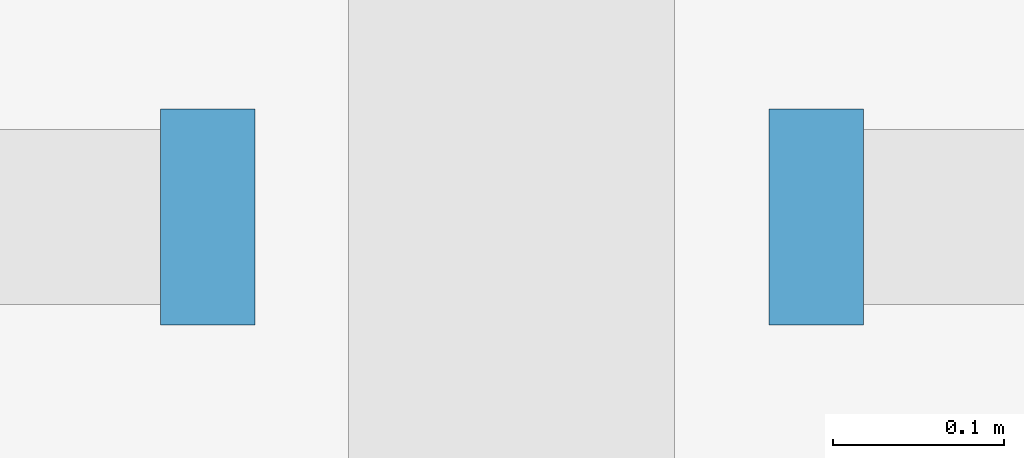
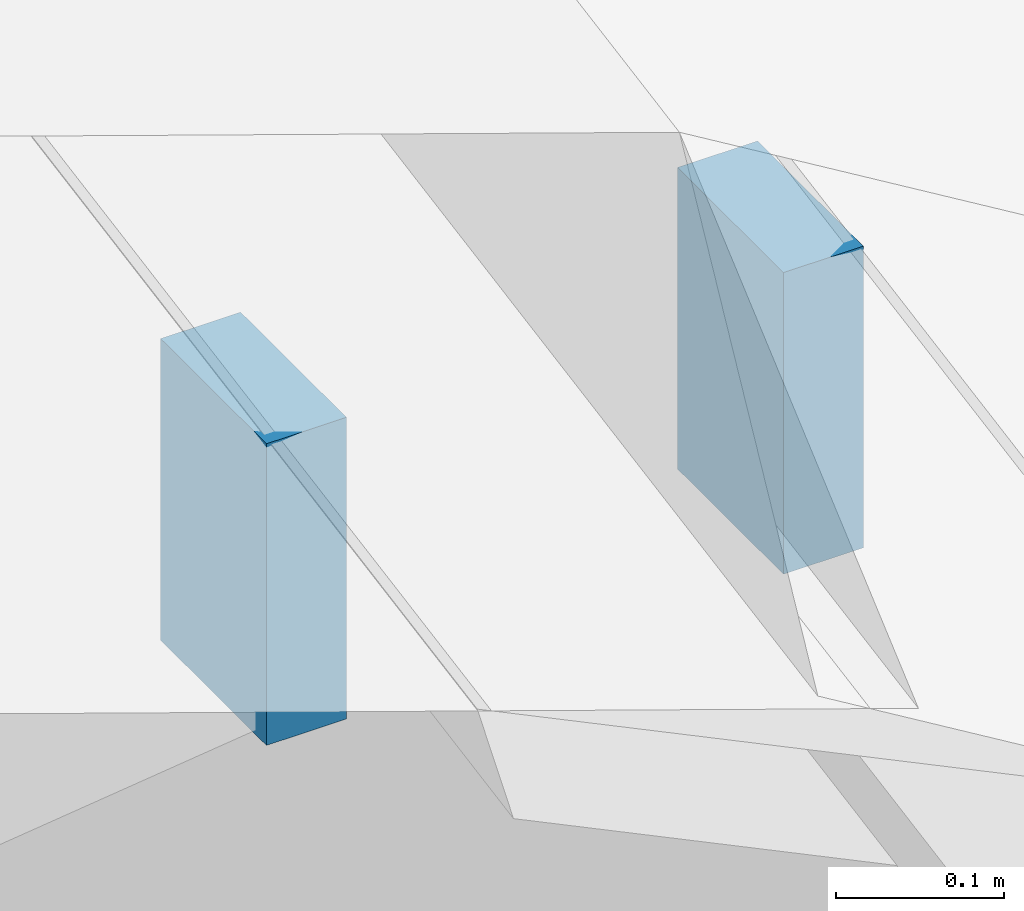
# One storey, part 37 of 52: 2 discrete accessories.
"""IFC4 building model written with IfcOpenShell, lengths in metres."""

from ifc_helpers import new_model, si_unit, direction, frame, origin, origin_2d, place, context, subcontext, project, spatial, rectangle, extrude, material, layer, layer_set, type_object, element, save


model = new_model("IFC4")

# Units and contexts
model_context = context("Model", 3, precision=1e-05, world=origin(), true_north=direction((0.0, 1.0)))
body_context = subcontext(model_context, "Body", "Model", "MODEL_VIEW")
ifc_project = project(units=[si_unit("LENGTHUNIT", "METRE"), si_unit("AREAUNIT", "SQUARE_METRE"), si_unit("VOLUMEUNIT", "CUBIC_METRE"), si_unit("PLANEANGLEUNIT", "RADIAN"), si_unit("MASSUNIT", "GRAM", prefix="KILO")], contexts=[model_context])

# Site, building, storey
site_placement = place(None, origin())
site = spatial("IfcSite", under=ifc_project, at=site_placement, CompositionType="ELEMENT")
building_placement = place(site_placement, origin())
building = spatial("IfcBuilding", under=site, at=building_placement, Name="Vaelkrest Opera House", CompositionType="ELEMENT")
storey_placement = place(building_placement, frame((0.0, 0.0, 41.39990234375)))
storey = spatial("IfcBuildingStorey", under=building, at=storey_placement, Name="ROOF", CompositionType="ELEMENT", Elevation=41.39990234375)

# Discrete accessories
ifc_material = material(Name="Steel A572 Gr50", Category="steel")
ifc_layer = layer(ifc_material, 0.320068359375)
ifc_layer_set = layer_set([ifc_layer], Name="Steel A572 Gr50")
discrete_accessory_type = type_object("IfcDiscreteAccessoryType", Name="ECP01", PredefinedType="USERDEFINED", material=ifc_layer_set)
for number, where, z_axis, x_axis, name in (
    (1, (8.822509765625, -47.8798828125, -14.951171875), (0.0, 0.0, 1.0), (1.0, 0.0, 0.0), "Purlin HSS end cap plate V1-07-S1-33-W1"),
    (2, (9.177490234375, -47.8798828125, -14.951171875), (0.0, 0.0, 1.0), (1.0, 0.0, 0.0), "Purlin HSS end cap plate V1-07-S1-33-E0"),
):
    element("IfcDiscreteAccessory", number, at=place(storey_placement, frame(where, z_axis=z_axis, x_axis=x_axis)), inside=storey, type_object=discrete_accessory_type, Name=name, ObjectType="CAP PLATE", PredefinedType="USERDEFINED", context=body_context, shape_type="SweptSolid", body=[
        extrude(rectangle(XDim=0.054931640625, YDim=0.1259765625, at=origin_2d()), origin(), (0.0, 0.0, 1.0), 0.218994140625),
    ])

save(model, "model.ifc")
